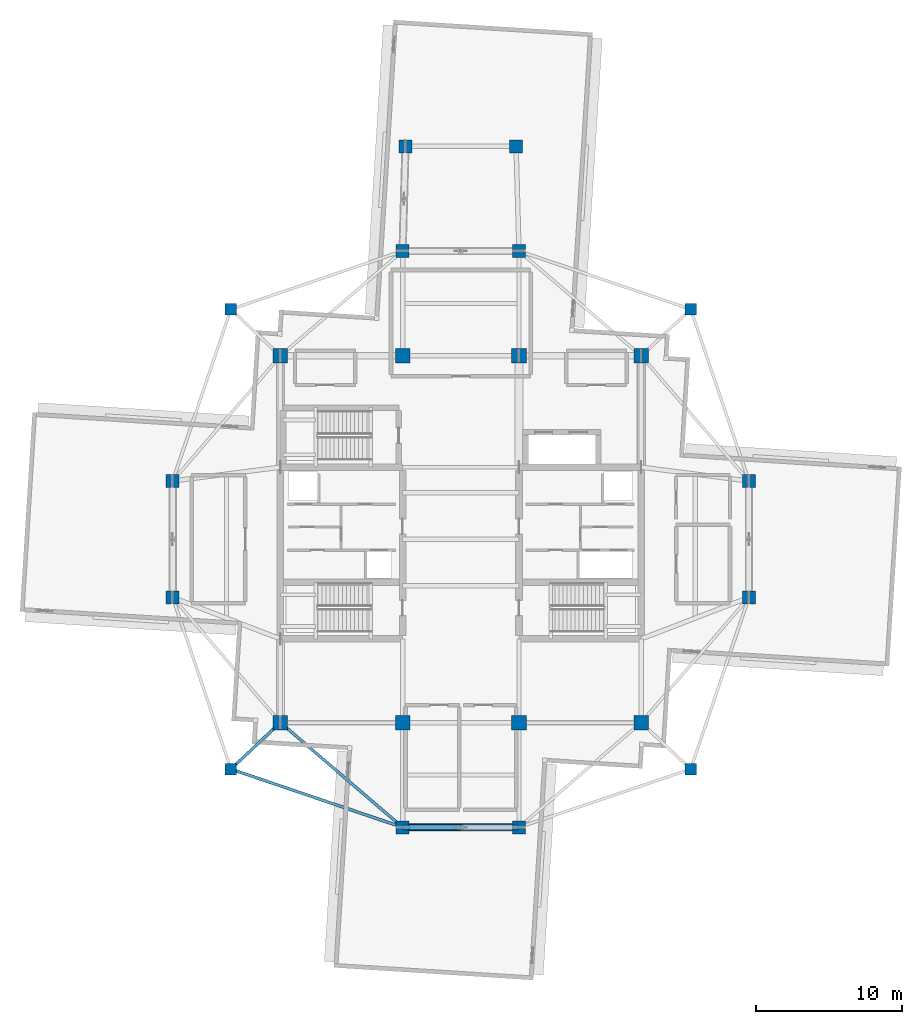
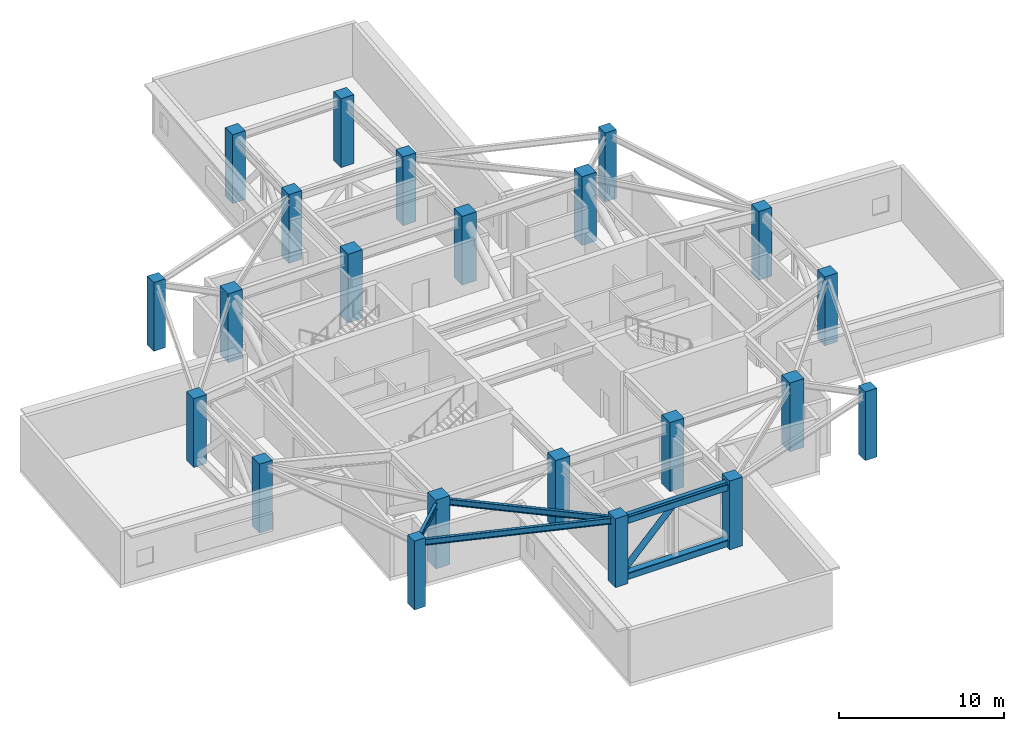
# One storey, part 1 of 14: 22 columns, 4 beams, 3 members.
"""IFC4 building model written with IfcOpenShell, lengths in metres."""

from ifc_helpers import new_model, si_unit, direction, frame, origin, origin_2d, place, context, subcontext, project, spatial, rectangle, hollow_rectangle, hollow_circle, i_section, extrude, material, material_profile, profile_set, type_object, element, save


model = new_model("IFC4")

# Units and contexts
model_context = context("Model", 3, precision=1e-05, world=origin(), true_north=direction((0.0, 1.0)))
body_context = subcontext(model_context, "Body", "Model", "MODEL_VIEW")
ifc_project = project(units=[si_unit("LENGTHUNIT", "METRE"), si_unit("AREAUNIT", "SQUARE_METRE"), si_unit("VOLUMEUNIT", "CUBIC_METRE"), si_unit("PLANEANGLEUNIT", "RADIAN"), si_unit("MASSUNIT", "GRAM", prefix="KILO")], contexts=[model_context])

# Site, building, storey
site_placement = place(None, origin())
site = spatial("IfcSite", under=ifc_project, at=site_placement, CompositionType="ELEMENT")
building_placement = place(site_placement, origin())
building = spatial("IfcBuilding", under=site, at=building_placement, Name="Qingluan Cross Belvedere", CompositionType="ELEMENT")
storey_placement = place(building_placement, frame((0.0, 0.0, 240.300048828125)))
storey = spatial("IfcBuildingStorey", under=building, at=storey_placement, Name="L60", CompositionType="ELEMENT", Elevation=240.300048828125)

# Columns
ifc_material_1 = material(Name="Concrete C50", Category="concrete")
ifc_material_profile_1 = material_profile(ifc_material_1, rectangle(XDim=1.0, YDim=1.0, at=origin_2d()), Name="RC1000x1000")
ifc_profile_set_1 = profile_set([ifc_material_profile_1], Name="Concrete C50")
column_type_1 = type_object("IfcColumnType", Name="Column_RC1000x1000", PredefinedType="COLUMN", material=ifc_profile_set_1)
for number, where, z_axis, x_axis, name in (
    (1, (-12.39990234375, -12.60009765625, 0.0), (0.0, 0.0, 1.0), (1.0, 0.0, 0.0), "Hub column L60-HC1"),
    (2, (12.39990234375, -12.60009765625, 0.0), (0.0, 0.0, 1.0), (1.0, 0.0, 0.0), "Hub column L60-HC2"),
    (3, (12.39990234375, 12.60009765625, 0.0), (0.0, 0.0, 1.0), (1.0, 0.0, 0.0), "Hub column L60-HC3"),
    (4, (-12.39990234375, 12.60009765625, 0.0), (0.0, 0.0, 1.0), (1.0, 0.0, 0.0), "Hub column L60-HC4"),
    (5, (-4.0, -12.60009765625, 0.0), (0.0, 0.0, 1.0), (1.0, 0.0, 0.0), "Hub column L60-HC5"),
    (6, (4.0, -12.60009765625, 0.0), (0.0, 0.0, 1.0), (1.0, 0.0, 0.0), "Hub column L60-HC6"),
    (7, (4.0, 12.60009765625, 0.0), (0.0, 0.0, 1.0), (1.0, 0.0, 0.0), "Hub column L60-HC7"),
    (8, (-4.0, 12.60009765625, 0.0), (0.0, 0.0, 1.0), (1.0, 0.0, 0.0), "Hub column L60-HC8"),
):
    element("IfcColumn", number, at=place(storey_placement, frame(where, z_axis=z_axis, x_axis=x_axis)), inside=storey, type_object=column_type_1, Name=name, PredefinedType="COLUMN", context=body_context, shape_type="SweptSolid", body=[
        extrude(rectangle(XDim=1.0, YDim=1.0, at=origin_2d()), origin(), (0.0, 0.0, 1.0), 5.099853515625),
    ])
ifc_material_2 = material(Name="Concrete C50", Category="concrete")
ifc_material_profile_2 = material_profile(ifc_material_2, rectangle(XDim=0.800048828125, YDim=0.800048828125, at=origin_2d()), Name="RC800x800")
ifc_profile_set_2 = profile_set([ifc_material_profile_2], Name="Concrete C50")
column_type_2 = type_object("IfcColumnType", Name="Column_RC800x800", PredefinedType="COLUMN", material=ifc_profile_set_2)
for number, where, z_axis, x_axis, name in (
    (9, (15.800048828125, 15.800048828125, 0.0), (0.0, 0.0, 1.0), (1.0, 0.0, 0.0), "Corner column L60-RNE"),
    (10, (-15.800048828125, 15.800048828125, 0.0), (0.0, 0.0, 1.0), (1.0, 0.0, 0.0), "Corner column L60-RNW"),
    (11, (-15.800048828125, -15.800048828125, 0.0), (0.0, 0.0, 1.0), (1.0, 0.0, 0.0), "Corner column L60-RSW"),
    (12, (15.800048828125, -15.800048828125, 0.0), (0.0, 0.0, 1.0), (1.0, 0.0, 0.0), "Corner column L60-RSE"),
):
    element("IfcColumn", number, at=place(storey_placement, frame(where, z_axis=z_axis, x_axis=x_axis)), inside=storey, type_object=column_type_2, Name=name, PredefinedType="COLUMN", context=body_context, shape_type="SweptSolid", body=[
        extrude(rectangle(XDim=0.800048828125, YDim=0.800048828125, at=origin_2d()), origin(), (0.0, 0.0, 1.0), 5.099853515625),
    ])
ifc_material_3 = material(Name="Concrete C50", Category="concrete")
ifc_material_profile_3 = material_profile(ifc_material_3, rectangle(XDim=0.89990234375, YDim=0.89990234375, at=origin_2d()), Name="RC900x900")
ifc_profile_set_3 = profile_set([ifc_material_profile_3], Name="Concrete C50")
column_type_3 = type_object("IfcColumnType", Name="Column_RC900x900", PredefinedType="COLUMN", material=ifc_profile_set_3)
for number, where, z_axis, x_axis, name in (
    (13, (19.800048828125, -4.0, 0.0), (0.0, 0.0, 1.0), (1.0, 0.0, 0.0), "Arm column L60-EIA"),
    (14, (19.800048828125, 4.0, 0.0), (0.0, 0.0, 1.0), (1.0, 0.0, 0.0), "Arm column L60-EIB"),
    (15, (-19.800048828125, -4.0, 0.0), (0.0, 0.0, 1.0), (1.0, 0.0, 0.0), "Arm column L60-WIA"),
    (16, (-19.800048828125, 4.0, 0.0), (0.0, 0.0, 1.0), (1.0, 0.0, 0.0), "Arm column L60-WIB"),
    (17, (-4.0, -19.800048828125, 0.0), (0.0, 0.0, 1.0), (1.0, 0.0, 0.0), "Arm column L60-SIA"),
    (18, (4.0, -19.800048828125, 0.0), (0.0, 0.0, 1.0), (1.0, 0.0, 0.0), "Arm column L60-SIB"),
    (19, (-4.0, 19.800048828125, 0.0), (0.0, 0.0, 1.0), (1.0, 0.0, 0.0), "Arm column L60-NIA"),
    (20, (4.0, 19.800048828125, 0.0), (0.0, 0.0, 1.0), (1.0, 0.0, 0.0), "Arm column L60-NIB"),
    (21, (-3.800048828125, 27.0, 0.0), (0.0, 0.0, 1.0), (1.0, 0.0, 0.0), "Arm column L60-NOA"),
    (22, (3.800048828125, 27.0, 0.0), (0.0, 0.0, 1.0), (1.0, 0.0, 0.0), "Arm column L60-NOB"),
):
    element("IfcColumn", number, at=place(storey_placement, frame(where, z_axis=z_axis, x_axis=x_axis)), inside=storey, type_object=column_type_3, Name=name, PredefinedType="COLUMN", context=body_context, shape_type="SweptSolid", body=[
        extrude(rectangle(XDim=0.89990234375, YDim=0.89990234375, at=origin_2d()), origin(), (0.0, 0.0, 1.0), 5.099853515625),
    ])

# Members
ifc_material_4 = material(Name="Steel Q420GJB", Category="steel")
ifc_material_profile_4 = material_profile(ifc_material_4, hollow_circle(Radius=0.202880859375, WallThickness=0.01806640625, at=origin_2d()), Name="CHS406x18")
ifc_profile_set_4 = profile_set([ifc_material_profile_4], Name="Steel Q420GJB")
member_type_1 = type_object("IfcMemberType", Name="SteelMember_BRACE_CHS406x18", PredefinedType="BRACE", material=ifc_profile_set_4)
member_placement = place(storey_placement, frame((-4.0, -19.800048828125, 0.349853515625), z_axis=(0.6939623188, 0.0, 0.720011319415), x_axis=(0.0, 1.0, 0.0)))
element("IfcMember", 23, at=member_placement, inside=storey, type_object=member_type_1, Name="Belt truss diagonal A L60-S", PredefinedType="BRACE", context=body_context, shape_type="SweptSolid", body=[
    extrude(hollow_circle(Radius=0.202880859375, WallThickness=0.01806640625, at=origin_2d()), origin(), (0.0, 0.0, 1.0), 5.763916015625),
])
ifc_material_5 = material(Name="Steel Q420GJB", Category="steel")
ifc_material_profile_5 = material_profile(ifc_material_5, hollow_rectangle(XDim=0.5, YDim=0.5, WallThickness=0.02490234375, InnerFilletRadius=0.02490234375, OuterFilletRadius=0.050048828125, at=origin_2d()), Name="RHS500x500x25")
ifc_profile_set_5 = profile_set([ifc_material_profile_5], Name="Steel Q420GJB")
member_type_2 = type_object("IfcMemberType", Name="SteelMember_CHORD_RHS500x500x25", PredefinedType="CHORD", material=ifc_profile_set_5)
for number, where, z_axis, x_axis, name in (
    (24, (-4.0, -19.800048828125, 0.349853515625), (1.0, 0.0, 0.0), (0.0, 1.0, 0.0), "Belt truss bottom chord L60-S"),
    (25, (-4.0, -19.800048828125, 4.5), (1.0, 0.0, 0.0), (0.0, 1.0, 0.0), "Belt truss top chord L60-S"),
):
    element("IfcMember", number, at=place(storey_placement, frame(where, z_axis=z_axis, x_axis=x_axis)), inside=storey, type_object=member_type_2, Name=name, PredefinedType="CHORD", context=body_context, shape_type="SweptSolid", body=[
        extrude(hollow_rectangle(XDim=0.5, YDim=0.5, WallThickness=0.02490234375, InnerFilletRadius=0.02490234375, OuterFilletRadius=0.050048828125, at=origin_2d()), origin(), (0.0, 0.0, 1.0), 8.0),
    ])

# Beams
ifc_material_6 = material(Name="Steel Q420GJB", Category="steel")
ifc_material_profile_6 = material_profile(ifc_material_6, i_section(OverallWidth=0.300048828125, OverallDepth=0.587890625, WebThickness=0.011962890625, FlangeThickness=0.02001953125, FilletRadius=0.02392578125, at=origin_2d()), Name="HM588x300x12x20")
ifc_profile_set_6 = profile_set([ifc_material_profile_6], Name="Steel Q420GJB")
beam_type_1 = type_object("IfcBeamType", Name="Steel_Beam_HM588x300x12x20", PredefinedType="BEAM", material=ifc_profile_set_6)
beam_1_placement = place(storey_placement, frame((-4.0, -19.800048828125, 4.555908203125), z_axis=(1.0, 0.0, 0.0), x_axis=(0.0, 1.0, 0.0)))
element("IfcBeam", 26, at=beam_1_placement, inside=storey, type_object=beam_type_1, Name="Arm S tie L60", PredefinedType="BEAM", context=body_context, shape_type="SweptSolid", body=[
    extrude(i_section(OverallWidth=0.300048828125, OverallDepth=0.587890625, WebThickness=0.011962890625, FlangeThickness=0.02001953125, FilletRadius=0.02392578125, at=origin_2d()), origin(), (0.0, 0.0, 1.0), 8.0),
])
ifc_material_7 = material(Name="Steel Q420GJB", Category="steel")
ifc_material_profile_7 = material_profile(ifc_material_7, i_section(OverallWidth=0.199951171875, OverallDepth=0.449951171875, WebThickness=0.009033203125, FlangeThickness=0.013916015625, FilletRadius=0.01611328125, at=origin_2d()), Name="HN450x200x9x14")
ifc_profile_set_7 = profile_set([ifc_material_profile_7], Name="Steel Q420GJB")
beam_type_2 = type_object("IfcBeamType", Name="Steel_Beam_HN450x200x9x14", PredefinedType="JOIST", material=ifc_profile_set_7)
beam_2_placement = place(storey_placement, frame((-12.39990234375, -12.60009765625, 4.625), z_axis=(-0.728219948308, -0.685343495546, 0.0), x_axis=(0.685343495546, -0.728219948308, 0.0)))
element("IfcBeam", 27, at=beam_2_placement, inside=storey, type_object=beam_type_2, Name="Corner beam 1 L60-RSW", PredefinedType="JOIST", context=body_context, shape_type="SweptSolid", body=[
    extrude(i_section(OverallWidth=0.199951171875, OverallDepth=0.449951171875, WebThickness=0.009033203125, FlangeThickness=0.013916015625, FilletRadius=0.01611328125, at=origin_2d()), origin(), (0.0, 0.0, 1.0), 4.669189453125),
])
beam_3_placement = place(storey_placement, frame((-15.800048828125, -15.800048828125, 4.625), z_axis=(0.947066283324, -0.321038089628, 0.0), x_axis=(0.321038089628, 0.947066283324, 0.0)))
element("IfcBeam", 28, at=beam_3_placement, inside=storey, type_object=beam_type_2, Name="Corner beam 2 L60-RSW", PredefinedType="JOIST", context=body_context, shape_type="SweptSolid", body=[
    extrude(i_section(OverallWidth=0.199951171875, OverallDepth=0.449951171875, WebThickness=0.009033203125, FlangeThickness=0.013916015625, FilletRadius=0.01611328125, at=origin_2d()), origin(), (0.0, 0.0, 1.0), 12.45947265625),
])
beam_4_placement = place(storey_placement, frame((-12.39990234375, -12.60009765625, 4.625), z_axis=(0.759255044656, -0.650793190779, 0.0), x_axis=(0.650793190779, 0.759255044656, 0.0)))
element("IfcBeam", 29, at=beam_4_placement, inside=storey, type_object=beam_type_2, Name="Corner beam 5 L60-RSW", PredefinedType="JOIST", context=body_context, shape_type="SweptSolid", body=[
    extrude(i_section(OverallWidth=0.199951171875, OverallDepth=0.449951171875, WebThickness=0.009033203125, FlangeThickness=0.013916015625, FilletRadius=0.01611328125, at=origin_2d()), origin(), (0.0, 0.0, 1.0), 11.063232421875),
])

save(model, "model.ifc")
